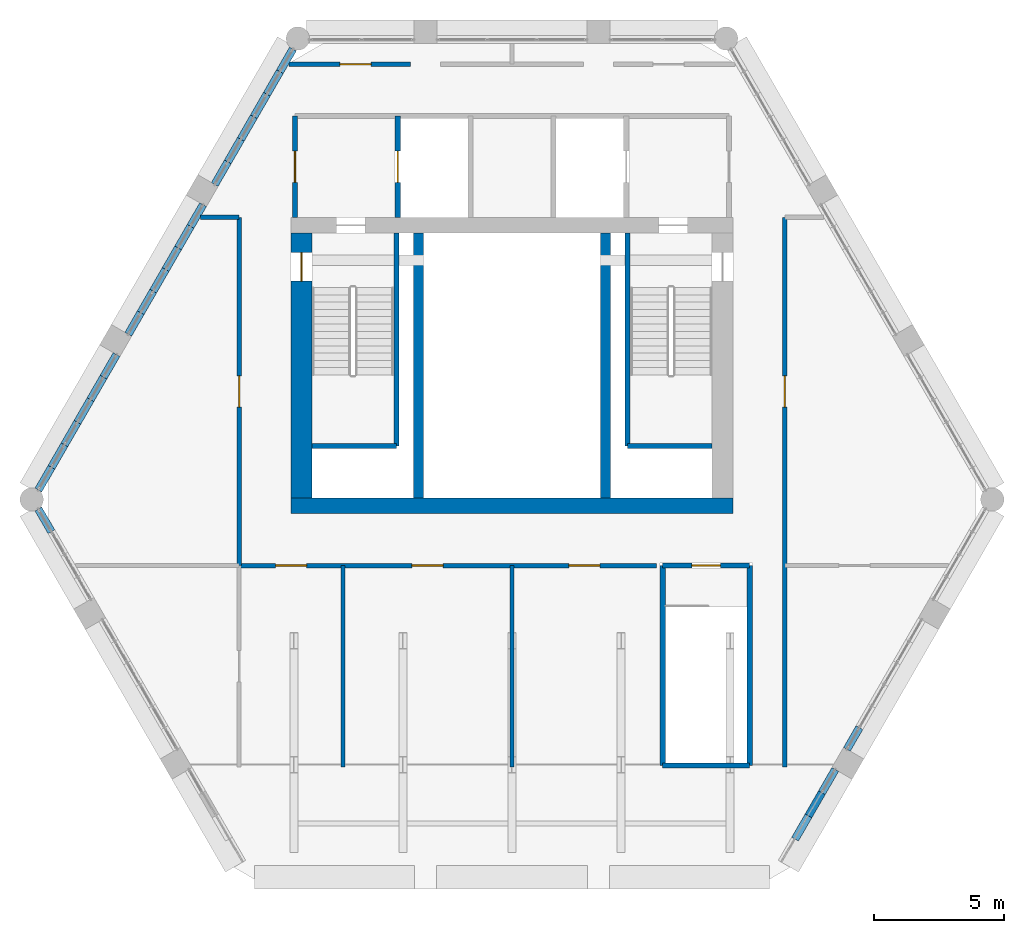
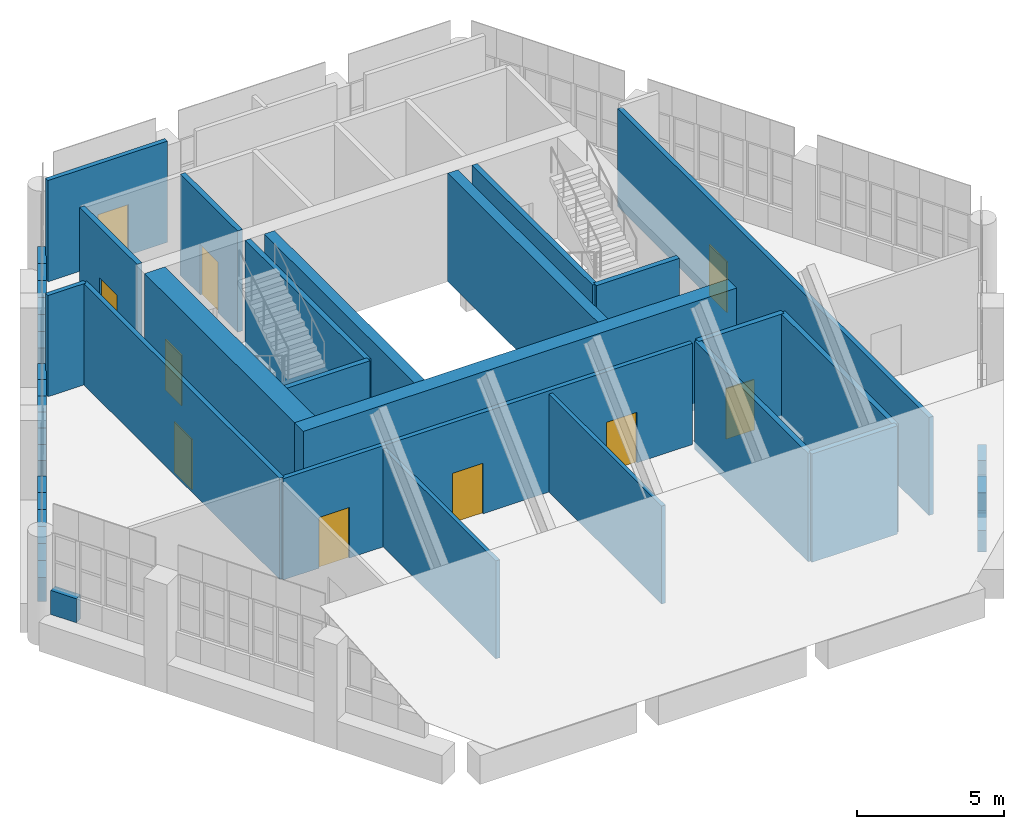
# One storey, part 20 of 25: 45 walls, 10 doors, 10 openings.
"""IFC4 building model written with IfcOpenShell, lengths in metres."""

from ifc_helpers import new_model, si_unit, direction, frame, frame_2d, origin, place, context, subcontext, project, spatial, rectangle, extrude, material, layer, layer_set, type_object, element, fill, save


model = new_model("IFC4")

# Units and contexts
model_context = context("Model", 3, precision=1e-05, world=origin(), true_north=direction((0.0, 1.0)))
body_context = subcontext(model_context, "Body", "Model", "MODEL_VIEW")
ifc_project = project(units=[si_unit("LENGTHUNIT", "METRE"), si_unit("AREAUNIT", "SQUARE_METRE"), si_unit("VOLUMEUNIT", "CUBIC_METRE"), si_unit("PLANEANGLEUNIT", "RADIAN"), si_unit("MASSUNIT", "GRAM", prefix="KILO")], contexts=[model_context])

# Site, building, storey
site_placement = place(None, origin())
site = spatial("IfcSite", under=ifc_project, at=site_placement, CompositionType="ELEMENT")
building_placement = place(site_placement, origin())
building = spatial("IfcBuilding", under=site, at=building_placement, Name="Ostrander Bayou Hotel Tower", CompositionType="ELEMENT")
storey_placement = place(building_placement, frame((0.0, 0.0, 275.0)))
storey = spatial("IfcBuildingStorey", under=building, at=storey_placement, Name="L68", CompositionType="ELEMENT", Elevation=275.0)

# Wall
ifc_material_1 = material(Name="Concrete f'c 60 MPa", Category="concrete")
ifc_layer_1 = layer(ifc_material_1, 0.60009765625)
ifc_layer_set_1 = layer_set([ifc_layer_1], Name="CW10 core wall 600 mm f'c 60 MPa")
wall_type_1 = type_object("IfcWallType", Name="CW10 core wall 600 mm f'c 60 MPa", PredefinedType="SHEAR", material=ifc_layer_set_1)
wall_1_placement = place(storey_placement, frame((-8.5, -1.39990234375, -0.300048828125), z_axis=(0.0, 0.0, 1.0), x_axis=(1.0, 0.0, 0.0)))
element("IfcWall", 1, at=wall_1_placement, inside=storey, type_object=wall_type_1, Name="CW10 L68 S", PredefinedType="SHEAR", context=body_context, shape_type="SweptSolid", body=[
    extrude(rectangle(XDim=17.0, YDim=0.60009765625, at=frame_2d((8.5, 0.0))), origin(), (0.0, 0.0, 1.0), 4.5),
])

# Wall, opening, door
ifc_material_2 = material(Name="Concrete f'c 60 MPa", Category="concrete")
ifc_layer_2 = layer(ifc_material_2, 0.800048828125)
ifc_layer_set_2 = layer_set([ifc_layer_2], Name="CW11 core spine wall 800 mm f'c 60 MPa")
wall_type_2 = type_object("IfcWallType", Name="CW11 core spine wall 800 mm f'c 60 MPa", PredefinedType="SHEAR", material=ifc_layer_set_2)
wall_2_placement = place(storey_placement, frame((-8.10009765625, -1.10009765625, -0.300048828125), z_axis=(0.0, 0.0, 1.0), x_axis=(0.0, 1.0, 0.0)))
wall_2 = element("IfcWall", 2, at=wall_2_placement, inside=storey, type_object=wall_type_2, Name="CW11 L68 W", PredefinedType="SHEAR", context=body_context, shape_type="SweptSolid", body=[
    extrude(rectangle(XDim=10.2001953125, YDim=0.800048828125, at=frame_2d((5.10009765625, 0.0))), origin(), (0.0, 0.0, 1.0), 4.5),
])
opening_1_placement = place(wall_2_placement, frame((8.35009765625, 0.0, 0.0)))
opening_1 = element("IfcOpeningElement", 3, at=opening_1_placement, cuts=wall_2, Name="Opening T68-002", PredefinedType="OPENING", context=body_context, shape_type="SweptSolid", body=[
    extrude(rectangle(XDim=1.10009765625, YDim=2.10009765625, at=frame_2d((0.550048828125, 1.050048828125))), frame((0.0, 0.39990234375, 0.0), z_axis=(0.0, -1.0, 0.0), x_axis=(1.0, 0.0, 0.0)), (0.0, 0.0, 1.0), 0.800048828125),
])
ifc_material_3 = material(Name="Timber door leaf", Category="wood")
door_type_1 = type_object("IfcDoorType", Name="D5 stair door 1100 x 2100 mm, 90 minute", OperationType="SINGLE_SWING_LEFT", PredefinedType="DOOR", material=ifc_material_3)
door_1_placement = place(opening_1_placement, origin())
door_1 = element("IfcDoor", 4, at=door_1_placement, inside=storey, type_object=door_type_1, Name="dr:L68:002", OperationType="SINGLE_SWING_RIGHT", OverallHeight=2.10009765625, OverallWidth=1.10009765625, PredefinedType="DOOR", context=body_context, shape_type="SweptSolid", body=[
    extrude(rectangle(XDim=1.10009765625, YDim=2.10009765625, at=frame_2d((0.550048828125, 1.050048828125))), frame((0.0, 0.02490234375, 0.0), z_axis=(0.0, -1.0, 0.0), x_axis=(1.0, 0.0, 0.0)), (0.0, 0.0, 1.0), 0.050048828125),
])
fill(opening_1, door_1)

# Walls
ifc_material_4 = material(Name="Concrete f'c 60 MPa", Category="concrete")
ifc_layer_3 = layer(ifc_material_4, 0.39990234375)
ifc_layer_set_3 = layer_set([ifc_layer_3], Name="CW12 core bank wall 400 mm f'c 60 MPa")
wall_type_3 = type_object("IfcWallType", Name="CW12 core bank wall 400 mm f'c 60 MPa", PredefinedType="SHEAR", material=ifc_layer_set_3)
for number, where, z_axis, x_axis, name in (
    (5, (-3.60009765625, -1.10009765625, -0.300048828125), (0.0, 0.0, 1.0), (0.0, 1.0, 0.0), "CW12 L68 CW"),
    (6, (3.60009765625, -1.10009765625, -0.300048828125), (0.0, 0.0, 1.0), (0.0, 1.0, 0.0), "CW12 L68 CE"),
):
    element("IfcWall", number, at=place(storey_placement, frame(where, z_axis=z_axis, x_axis=x_axis)), inside=storey, type_object=wall_type_3, Name=name, PredefinedType="SHEAR", context=body_context, shape_type="SweptSolid", body=[
        extrude(rectangle(XDim=10.2001953125, YDim=0.39990234375, at=frame_2d((5.10009765625, 0.0))), origin(), (0.0, 0.0, 1.0), 4.5),
    ])
ifc_material_5 = material(Name="Reconstituted stone on masonry backing", Category="masonry")
ifc_layer_4 = layer(ifc_material_5, 0.300048828125)
ifc_layer_set_4 = layer_set([ifc_layer_4], Name="NW1 north stone wall 300 mm")
wall_type_4 = type_object("IfcWallType", Name="NW1 north stone wall 300 mm", PredefinedType="SOLIDWALL", material=ifc_layer_set_4)
wall_3_placement = place(storey_placement, frame((-8.431884765625, 16.182373046875, 0.0), z_axis=(0.0, 0.0, 1.0), x_axis=(-0.500143783026, -0.865942374699, 0.0)))
element("IfcWall", 7, at=wall_3_placement, inside=storey, type_object=wall_type_4, Name="NW1 L68 NW-1-1 sill", PredefinedType="SOLIDWALL", context=body_context, shape_type="SweptSolid", body=[
    extrude(rectangle(XDim=1.003173828125, YDim=0.300048828125, at=frame_2d((0.50146484375, 0.0))), origin(), (0.0, 0.0, 1.0), 1.0),
])
wall_4_placement = place(storey_placement, frame((-8.93359375, 15.313720703125, 0.0), z_axis=(0.0, 0.0, 1.0), x_axis=(-0.500038395149, -0.8660032352, 0.0)))
element("IfcWall", 8, at=wall_4_placement, inside=storey, type_object=wall_type_4, Name="NW1 L68 NW-1-2 sill", PredefinedType="SOLIDWALL", context=body_context, shape_type="SweptSolid", body=[
    extrude(rectangle(XDim=1.00341796875, YDim=0.300048828125, at=frame_2d((0.501708984375, 0.0))), origin(), (0.0, 0.0, 1.0), 1.0),
])
wall_5_placement = place(storey_placement, frame((-9.435302734375, 14.44482421875, 0.0), z_axis=(0.0, 0.0, 1.0), x_axis=(-0.499961250474, -0.866047774678, 0.0)))
element("IfcWall", 9, at=wall_5_placement, inside=storey, type_object=wall_type_4, Name="NW1 L68 NW-1-3 sill", PredefinedType="SOLIDWALL", context=body_context, shape_type="SweptSolid", body=[
    extrude(rectangle(XDim=1.0029296875, YDim=0.300048828125, at=frame_2d((0.50146484375, 0.0))), origin(), (0.0, 0.0, 1.0), 1.0),
])
for number, where, z_axis, x_axis, name in (
    (10, (-9.936767578125, 13.576171875, 0.0), (0.0, 0.0, 1.0), (-0.499855875421, -0.866108598161, 0.0), "NW1 L68 NW-1-4 sill"),
    (11, (-10.438232421875, 12.707275390625, 0.0), (0.0, 0.0, 1.0), (-0.500143783026, -0.865942374699, 0.0), "NW1 L68 NW-1-5 sill"),
    (12, (-10.93994140625, 11.838623046875, 0.0), (0.0, 0.0, 1.0), (-0.499855875421, -0.866108598161, 0.0), "NW1 L68 NW-1-6 sill"),
):
    element("IfcWall", number, at=place(storey_placement, frame(where, z_axis=z_axis, x_axis=x_axis)), inside=storey, type_object=wall_type_4, Name=name, PredefinedType="SOLIDWALL", context=body_context, shape_type="SweptSolid", body=[
        extrude(rectangle(XDim=1.003173828125, YDim=0.300048828125, at=frame_2d((0.50146484375, 0.0))), origin(), (0.0, 0.0, 1.0), 1.0),
    ])
for number, where, z_axis, x_axis, name in (
    (13, (-11.8916015625, 10.1904296875, 0.0), (0.0, 0.0, 1.0), (-0.499832553123, -0.866122057702, 0.0), "NW1 L68 NW-2-1 sill"),
    (14, (-12.371337890625, 9.359130859375, 0.0), (0.0, 0.0, 1.0), (-0.500133489192, -0.865948320045, 0.0), "NW1 L68 NW-2-2 sill"),
):
    element("IfcWall", number, at=place(storey_placement, frame(where, z_axis=z_axis, x_axis=x_axis)), inside=storey, type_object=wall_type_4, Name=name, PredefinedType="SOLIDWALL", context=body_context, shape_type="SweptSolid", body=[
        extrude(rectangle(XDim=0.959716796875, YDim=0.300048828125, at=frame_2d((0.47998046875, 0.0))), origin(), (0.0, 0.0, 1.0), 1.0),
    ])
wall_6_placement = place(storey_placement, frame((-12.851318359375, 8.528076171875, 0.0), z_axis=(0.0, 0.0, 1.0), x_axis=(-0.500023335103, -0.866011930837, 0.0)))
element("IfcWall", 15, at=wall_6_placement, inside=storey, type_object=wall_type_4, Name="NW1 L68 NW-2-3 sill", PredefinedType="SOLIDWALL", context=body_context, shape_type="SweptSolid", body=[
    extrude(rectangle(XDim=0.9599609375, YDim=0.300048828125, at=frame_2d((0.47998046875, 0.0))), origin(), (0.0, 0.0, 1.0), 1.0),
])
wall_7_placement = place(storey_placement, frame((-13.331298828125, 7.69677734375, 0.0), z_axis=(0.0, 0.0, 1.0), x_axis=(-0.499832553123, -0.866122057702, 0.0)))
element("IfcWall", 16, at=wall_7_placement, inside=storey, type_object=wall_type_4, Name="NW1 L68 NW-2-4 sill", PredefinedType="SOLIDWALL", context=body_context, shape_type="SweptSolid", body=[
    extrude(rectangle(XDim=0.959716796875, YDim=0.300048828125, at=frame_2d((0.47998046875, 0.0))), origin(), (0.0, 0.0, 1.0), 1.0),
])
wall_8_placement = place(storey_placement, frame((-13.81103515625, 6.865478515625, 0.0), z_axis=(0.0, 0.0, 1.0), x_axis=(-0.500023335103, -0.866011930837, 0.0)))
element("IfcWall", 17, at=wall_8_placement, inside=storey, type_object=wall_type_4, Name="NW1 L68 NW-2-5 sill", PredefinedType="SOLIDWALL", context=body_context, shape_type="SweptSolid", body=[
    extrude(rectangle(XDim=0.9599609375, YDim=0.300048828125, at=frame_2d((0.47998046875, 0.0))), origin(), (0.0, 0.0, 1.0), 1.0),
])
wall_9_placement = place(storey_placement, frame((-14.291015625, 6.0341796875, 0.0), z_axis=(0.0, 0.0, 1.0), x_axis=(-0.500133489192, -0.865948320045, 0.0)))
element("IfcWall", 18, at=wall_9_placement, inside=storey, type_object=wall_type_4, Name="NW1 L68 NW-2-6 sill", PredefinedType="SOLIDWALL", context=body_context, shape_type="SweptSolid", body=[
    extrude(rectangle(XDim=0.959716796875, YDim=0.300048828125, at=frame_2d((0.47998046875, 0.0))), origin(), (0.0, 0.0, 1.0), 1.0),
])
wall_10_placement = place(storey_placement, frame((-15.220947265625, 4.423583984375, 0.0), z_axis=(0.0, 0.0, 1.0), x_axis=(-0.499961250474, -0.866047774678, 0.0)))
element("IfcWall", 19, at=wall_10_placement, inside=storey, type_object=wall_type_4, Name="NW1 L68 NW-3-1 sill", PredefinedType="SOLIDWALL", context=body_context, shape_type="SweptSolid", body=[
    extrude(rectangle(XDim=1.0029296875, YDim=0.300048828125, at=frame_2d((0.50146484375, 0.0))), origin(), (0.0, 0.0, 1.0), 1.0),
])
wall_11_placement = place(storey_placement, frame((-15.722412109375, 3.554931640625, 0.0), z_axis=(0.0, 0.0, 1.0), x_axis=(-0.500143783026, -0.865942374699, 0.0)))
element("IfcWall", 20, at=wall_11_placement, inside=storey, type_object=wall_type_4, Name="NW1 L68 NW-3-2 sill", PredefinedType="SOLIDWALL", context=body_context, shape_type="SweptSolid", body=[
    extrude(rectangle(XDim=1.003173828125, YDim=0.300048828125, at=frame_2d((0.50146484375, 0.0))), origin(), (0.0, 0.0, 1.0), 1.0),
])
for number, where, z_axis, x_axis, name in (
    (21, (-16.22412109375, 2.686279296875, 0.0), (0.0, 0.0, 1.0), (-0.499961250474, -0.866047774678, 0.0), "NW1 L68 NW-3-3 sill"),
    (22, (-16.7255859375, 1.817626953125, 0.0), (0.0, 0.0, 1.0), (-0.499961250474, -0.866047774678, 0.0), "NW1 L68 NW-3-4 sill"),
    (23, (-17.22705078125, 0.948974609375, 0.0), (0.0, 0.0, 1.0), (-0.499961250474, -0.866047774678, 0.0), "NW1 L68 NW-3-5 sill"),
    (24, (-17.728515625, 0.080322265625, 0.0), (0.0, 0.0, 1.0), (-0.499961250474, -0.866047774678, 0.0), "NW1 L68 NW-3-6 sill"),
):
    element("IfcWall", number, at=place(storey_placement, frame(where, z_axis=z_axis, x_axis=x_axis)), inside=storey, type_object=wall_type_4, Name=name, PredefinedType="SOLIDWALL", context=body_context, shape_type="SweptSolid", body=[
        extrude(rectangle(XDim=1.0029296875, YDim=0.300048828125, at=frame_2d((0.50146484375, 0.0))), origin(), (0.0, 0.0, 1.0), 1.0),
    ])
wall_12_placement = place(storey_placement, frame((-18.22998046875, -1.524658203125, 0.0), z_axis=(0.0, 0.0, 1.0), x_axis=(0.500010157896, -0.866019539041, 0.0)))
element("IfcWall", 25, at=wall_12_placement, inside=storey, type_object=wall_type_4, Name="NW1 L68 SW-1-1 sill", PredefinedType="SOLIDWALL", context=body_context, shape_type="SweptSolid", body=[
    extrude(rectangle(XDim=1.00390625, YDim=0.300048828125, at=frame_2d((0.501953125, 0.0))), origin(), (0.0, 0.0, 1.0), 1.0),
])
wall_13_placement = place(storey_placement, frame((10.8955078125, -14.228271484375, 0.0), z_axis=(0.0, 0.0, 1.0), x_axis=(0.499981900942, 0.866035853028, 0.0)))
element("IfcWall", 26, at=wall_13_placement, inside=storey, type_object=wall_type_4, Name="NW1 L68 SE-1-2 sill", PredefinedType="SOLIDWALL", context=body_context, shape_type="SweptSolid", body=[
    extrude(rectangle(XDim=1.03173828125, YDim=0.300048828125, at=frame_2d((0.515869140625, 0.0))), origin(), (0.0, 0.0, 1.0), 0.904052734375),
])
wall_14_placement = place(storey_placement, frame((11.411376953125, -13.334716796875, 0.0), z_axis=(0.0, 0.0, 1.0), x_axis=(0.500084376221, 0.86597668367, 0.0)))
element("IfcWall", 27, at=wall_14_placement, inside=storey, type_object=wall_type_4, Name="NW1 L68 SE-1-3 sill", PredefinedType="SOLIDWALL", context=body_context, shape_type="SweptSolid", body=[
    extrude(rectangle(XDim=1.031494140625, YDim=0.300048828125, at=frame_2d((0.515625, 0.0))), origin(), (0.0, 0.0, 1.0), 1.0),
])
wall_15_placement = place(storey_placement, frame((11.411376953125, -13.334716796875, 1.0), z_axis=(0.0, 0.0, 1.0), x_axis=(0.500084376221, 0.86597668367, 0.0)))
element("IfcWall", 28, at=wall_15_placement, inside=storey, type_object=wall_type_4, Name="NW1 L68 SE-1-3 infill", PredefinedType="SOLIDWALL", context=body_context, shape_type="SweptSolid", body=[
    extrude(rectangle(XDim=1.031494140625, YDim=0.300048828125, at=frame_2d((0.515625, 0.0))), origin(), (0.0, 0.0, 1.0), 0.74560546875),
])
wall_16_placement = place(storey_placement, frame((11.92724609375, -12.44140625, 0.0), z_axis=(0.0, 0.0, 1.0), x_axis=(0.500084376221, 0.86597668367, 0.0)))
element("IfcWall", 29, at=wall_16_placement, inside=storey, type_object=wall_type_4, Name="NW1 L68 SE-1-4 sill", PredefinedType="SOLIDWALL", context=body_context, shape_type="SweptSolid", body=[
    extrude(rectangle(XDim=1.031494140625, YDim=0.300048828125, at=frame_2d((0.515625, 0.0))), origin(), (0.0, 0.0, 1.0), 1.0),
])
wall_17_placement = place(storey_placement, frame((12.89306640625, -10.7685546875, 0.0), z_axis=(0.0, 0.0, 1.0), x_axis=(0.499942693199, 0.866058487353, 0.0)))
element("IfcWall", 30, at=wall_17_placement, inside=storey, type_object=wall_type_4, Name="NW1 L68 SE-2-1 sill", PredefinedType="SOLIDWALL", context=body_context, shape_type="SweptSolid", body=[
    extrude(rectangle(XDim=0.95947265625, YDim=0.300048828125, at=frame_2d((0.479736328125, 0.0))), origin(), (0.0, 0.0, 1.0), 1.0),
])

# Wall, openings, doors
ifc_material_6 = material(Name="Gypsum board partition", Category="finish")
ifc_layer_5 = layer(ifc_material_6, 0.175048828125)
ifc_layer_set_5 = layer_set([ifc_layer_5], Name="PT4 corridor wall 175 mm, 1 hour")
wall_type_5 = type_object("IfcWallType", Name="PT4 corridor wall 175 mm, 1 hour", PredefinedType="PARTITIONING", material=ifc_layer_set_5)
wall_18_placement = place(storey_placement, frame((-10.5, -3.699951171875, 0.0), z_axis=(0.0, 0.0, 1.0), x_axis=(1.0, 0.0, 0.0)))
wall_18 = element("IfcWall", 31, at=wall_18_placement, inside=storey, type_object=wall_type_5, Name="sw:L68:001", PredefinedType="PARTITIONING", context=body_context, shape_type="SweptSolid", body=[
    extrude(rectangle(XDim=16.070068359375, YDim=0.175048828125, at=frame_2d((8.03515625, 0.0))), origin(), (0.0, 0.0, 1.0), 4.199951171875),
])
opening_2_placement = place(wall_18_placement, frame((1.39990234375, 0.0, 0.0)))
opening_2 = element("IfcOpeningElement", 32, at=opening_2_placement, cuts=wall_18, Name="Opening T68-200", PredefinedType="OPENING", context=body_context, shape_type="SweptSolid", body=[
    extrude(rectangle(XDim=1.199951171875, YDim=2.10009765625, at=frame_2d((0.60009765625, 1.050048828125))), frame((0.0, 0.08740234375, 0.0), z_axis=(0.0, -1.0, 0.0), x_axis=(1.0, 0.0, 0.0)), (0.0, 0.0, 1.0), 0.175048828125),
])
opening_3_placement = place(wall_18_placement, frame((6.64990234375, 0.0, 0.0)))
opening_3 = element("IfcOpeningElement", 33, at=opening_3_placement, cuts=wall_18, Name="Opening T68-201", PredefinedType="OPENING", context=body_context, shape_type="SweptSolid", body=[
    extrude(rectangle(XDim=1.199951171875, YDim=2.10009765625, at=frame_2d((0.60009765625, 1.050048828125))), frame((0.0, 0.08740234375, 0.0), z_axis=(0.0, -1.0, 0.0), x_axis=(1.0, 0.0, 0.0)), (0.0, 0.0, 1.0), 0.175048828125),
])
opening_4_placement = place(wall_18_placement, frame((12.68505859375, 0.0, 0.0)))
opening_4 = element("IfcOpeningElement", 34, at=opening_4_placement, cuts=wall_18, Name="Opening T68-202", PredefinedType="OPENING", context=body_context, shape_type="SweptSolid", body=[
    extrude(rectangle(XDim=1.199951171875, YDim=2.10009765625, at=frame_2d((0.60009765625, 1.050048828125))), frame((0.0, 0.08740234375, 0.0), z_axis=(0.0, -1.0, 0.0), x_axis=(1.0, 0.0, 0.0)), (0.0, 0.0, 1.0), 0.175048828125),
])
ifc_material_7 = material(Name="Timber door leaf", Category="wood")
door_type_2 = type_object("IfcDoorType", Name="D10 plant room door 1200 x 2100 mm, 1 hour", OperationType="SINGLE_SWING_LEFT", PredefinedType="DOOR", material=ifc_material_7)
door_2_placement = place(opening_2_placement, origin())
door_2 = element("IfcDoor", 35, at=door_2_placement, inside=storey, type_object=door_type_2, Name="dr:L68:200", OperationType="SINGLE_SWING_RIGHT", OverallHeight=2.10009765625, OverallWidth=1.199951171875, PredefinedType="DOOR", context=body_context, shape_type="SweptSolid", body=[
    extrude(rectangle(XDim=1.199951171875, YDim=2.10009765625, at=frame_2d((0.60009765625, 1.050048828125))), frame((0.0, 0.02490234375, 0.0), z_axis=(0.0, -1.0, 0.0), x_axis=(1.0, 0.0, 0.0)), (0.0, 0.0, 1.0), 0.050048828125),
])
fill(opening_2, door_2)
door_3_placement = place(opening_3_placement, origin())
door_3 = element("IfcDoor", 36, at=door_3_placement, inside=storey, type_object=door_type_2, Name="dr:L68:201", OperationType="SINGLE_SWING_LEFT", OverallHeight=2.10009765625, OverallWidth=1.199951171875, PredefinedType="DOOR", context=body_context, shape_type="SweptSolid", body=[
    extrude(rectangle(XDim=1.199951171875, YDim=2.10009765625, at=frame_2d((0.60009765625, 1.050048828125))), frame((0.0, 0.02490234375, 0.0), z_axis=(0.0, -1.0, 0.0), x_axis=(1.0, 0.0, 0.0)), (0.0, 0.0, 1.0), 0.050048828125),
])
fill(opening_3, door_3)
door_4_placement = place(opening_4_placement, origin())
door_4 = element("IfcDoor", 37, at=door_4_placement, inside=storey, type_object=door_type_2, Name="dr:L68:202", OperationType="SINGLE_SWING_RIGHT", OverallHeight=2.10009765625, OverallWidth=1.199951171875, PredefinedType="DOOR", context=body_context, shape_type="SweptSolid", body=[
    extrude(rectangle(XDim=1.199951171875, YDim=2.10009765625, at=frame_2d((0.60009765625, 1.050048828125))), frame((0.0, 0.02490234375, 0.0), z_axis=(0.0, -1.0, 0.0), x_axis=(1.0, 0.0, 0.0)), (0.0, 0.0, 1.0), 0.050048828125),
])
fill(opening_4, door_4)

# Wall
wall_19_placement = place(storey_placement, frame((-11.996337890625, 9.699951171875, 0.0), z_axis=(0.0, 0.0, 1.0), x_axis=(1.0, 0.0, 0.0)))
element("IfcWall", 38, at=wall_19_placement, inside=storey, type_object=wall_type_5, Name="sw:L68:002", PredefinedType="PARTITIONING", context=body_context, shape_type="SweptSolid", body=[
    extrude(rectangle(XDim=1.496337890625, YDim=0.175048828125, at=frame_2d((0.748046875, 0.0))), origin(), (0.0, 0.0, 1.0), 4.199951171875),
])

# Wall, opening, door
wall_20_placement = place(storey_placement, frame((-8.590087890625, 15.60009765625, 0.0), z_axis=(0.0, 0.0, 1.0), x_axis=(1.0, 0.0, 0.0)))
wall_20 = element("IfcWall", 39, at=wall_20_placement, inside=storey, type_object=wall_type_5, Name="sw:L68:004", PredefinedType="PARTITIONING", context=body_context, shape_type="SweptSolid", body=[
    extrude(rectangle(XDim=4.68701171875, YDim=0.175048828125, at=frame_2d((2.343505859375, 0.0))), origin(), (0.0, 0.0, 1.0), 4.199951171875),
])
opening_5_placement = place(wall_20_placement, frame((1.9638671875, 0.0, 0.0)))
opening_5 = element("IfcOpeningElement", 40, at=opening_5_placement, cuts=wall_20, Name="Opening T68-207", PredefinedType="OPENING", context=body_context, shape_type="SweptSolid", body=[
    extrude(rectangle(XDim=1.199951171875, YDim=2.10009765625, at=frame_2d((0.60009765625, 1.050048828125))), frame((0.0, 0.08740234375, 0.0), z_axis=(0.0, -1.0, 0.0), x_axis=(1.0, 0.0, 0.0)), (0.0, 0.0, 1.0), 0.175048828125),
])
door_5_placement = place(opening_5_placement, origin())
door_5 = element("IfcDoor", 41, at=door_5_placement, inside=storey, type_object=door_type_2, Name="dr:L68:207", OperationType="SINGLE_SWING_LEFT", OverallHeight=2.10009765625, OverallWidth=1.199951171875, PredefinedType="DOOR", context=body_context, shape_type="SweptSolid", body=[
    extrude(rectangle(XDim=1.199951171875, YDim=2.10009765625, at=frame_2d((0.60009765625, 1.050048828125))), frame((0.0, 0.02490234375, 0.0), z_axis=(0.0, -1.0, 0.0), x_axis=(1.0, 0.0, 0.0)), (0.0, 0.0, 1.0), 0.050048828125),
])
fill(opening_5, door_5)

wall_21_placement = place(storey_placement, frame((-10.5, -3.699951171875, 0.0), z_axis=(0.0, 0.0, 1.0), x_axis=(0.0, 1.0, 0.0)))
wall_21 = element("IfcWall", 42, at=wall_21_placement, inside=storey, type_object=wall_type_5, Name="sw:L68:007", PredefinedType="PARTITIONING", context=body_context, shape_type="SweptSolid", body=[
    extrude(rectangle(XDim=13.39990234375, YDim=0.175048828125, at=frame_2d((6.699951171875, 0.0))), origin(), (0.0, 0.0, 1.0), 4.199951171875),
])
opening_6_placement = place(wall_21_placement, frame((6.10009765625, 0.0, 0.0)))
opening_6 = element("IfcOpeningElement", 43, at=opening_6_placement, cuts=wall_21, Name="Opening T68-204", PredefinedType="OPENING", context=body_context, shape_type="SweptSolid", body=[
    extrude(rectangle(XDim=1.199951171875, YDim=2.10009765625, at=frame_2d((0.60009765625, 1.050048828125))), frame((0.0, 0.08740234375, 0.0), z_axis=(0.0, -1.0, 0.0), x_axis=(1.0, 0.0, 0.0)), (0.0, 0.0, 1.0), 0.175048828125),
])
door_6_placement = place(opening_6_placement, origin())
door_6 = element("IfcDoor", 44, at=door_6_placement, inside=storey, type_object=door_type_2, Name="dr:L68:204", OperationType="SINGLE_SWING_RIGHT", OverallHeight=2.10009765625, OverallWidth=1.199951171875, PredefinedType="DOOR", context=body_context, shape_type="SweptSolid", body=[
    extrude(rectangle(XDim=1.199951171875, YDim=2.10009765625, at=frame_2d((0.60009765625, 1.050048828125))), frame((0.0, 0.02490234375, 0.0), z_axis=(0.0, -1.0, 0.0), x_axis=(1.0, 0.0, 0.0)), (0.0, 0.0, 1.0), 0.050048828125),
])
fill(opening_6, door_6)

wall_22_placement = place(storey_placement, frame((10.5, -11.454345703125, 0.0), z_axis=(0.0, 0.0, 1.0), x_axis=(0.0, 1.0, 0.0)))
wall_22 = element("IfcWall", 45, at=wall_22_placement, inside=storey, type_object=wall_type_5, Name="sw:L68:008", PredefinedType="PARTITIONING", context=body_context, shape_type="SweptSolid", body=[
    extrude(rectangle(XDim=21.154296875, YDim=0.175048828125, at=frame_2d((10.5771484375, 0.0))), origin(), (0.0, 0.0, 1.0), 4.066650390625),
])
opening_7_placement = place(wall_22_placement, frame((13.8544921875, 0.0, 0.0)))
opening_7 = element("IfcOpeningElement", 46, at=opening_7_placement, cuts=wall_22, Name="Opening T68-206", PredefinedType="OPENING", context=body_context, shape_type="SweptSolid", body=[
    extrude(rectangle(XDim=1.199951171875, YDim=2.10009765625, at=frame_2d((0.60009765625, 1.050048828125))), frame((0.0, 0.08740234375, 0.0), z_axis=(0.0, -1.0, 0.0), x_axis=(1.0, 0.0, 0.0)), (0.0, 0.0, 1.0), 0.175048828125),
])
door_7_placement = place(opening_7_placement, origin())
door_7 = element("IfcDoor", 47, at=door_7_placement, inside=storey, type_object=door_type_2, Name="dr:L68:206", OperationType="SINGLE_SWING_RIGHT", OverallHeight=2.10009765625, OverallWidth=1.199951171875, PredefinedType="DOOR", context=body_context, shape_type="SweptSolid", body=[
    extrude(rectangle(XDim=1.199951171875, YDim=2.10009765625, at=frame_2d((0.60009765625, 1.050048828125))), frame((0.0, 0.02490234375, 0.0), z_axis=(0.0, -1.0, 0.0), x_axis=(1.0, 0.0, 0.0)), (0.0, 0.0, 1.0), 0.050048828125),
])
fill(opening_7, door_7)

ifc_material_8 = material(Name="Masonry block", Category="masonry")
ifc_layer_6 = layer(ifc_material_8, 0.199951171875)
ifc_layer_set_6 = layer_set([ifc_layer_6], Name="PT5 stair enclosure wall 200 mm masonry, 2 hour")
wall_type_6 = type_object("IfcWallType", Name="PT5 stair enclosure wall 200 mm masonry, 2 hour", PredefinedType="PARTITIONING", material=ifc_layer_set_6)
wall_23_placement = place(storey_placement, frame((-8.35009765625, 9.699951171875, 0.0), z_axis=(0.0, 0.0, 1.0), x_axis=(0.0, 1.0, 0.0)))
wall_23 = element("IfcWall", 48, at=wall_23_placement, inside=storey, type_object=wall_type_6, Name="cs:L68:010", PredefinedType="PARTITIONING", context=body_context, shape_type="SweptSolid", body=[
    extrude(rectangle(XDim=3.900146484375, YDim=0.199951171875, at=frame_2d((1.9501953125, 0.0))), origin(), (0.0, 0.0, 1.0), 4.199951171875),
])
opening_8_placement = place(wall_23_placement, frame((1.35009765625, 0.0, 0.0)))
opening_8 = element("IfcOpeningElement", 49, at=opening_8_placement, cuts=wall_23, Name="Opening T68-007", PredefinedType="OPENING", context=body_context, shape_type="SweptSolid", body=[
    extrude(rectangle(XDim=1.199951171875, YDim=2.10009765625, at=frame_2d((0.60009765625, 1.050048828125))), frame((0.0, 0.10009765625, 0.0), z_axis=(0.0, -1.0, 0.0), x_axis=(1.0, 0.0, 0.0)), (0.0, 0.0, 1.0), 0.199951171875),
])
ifc_material_9 = material(Name="Timber door leaf", Category="wood")
door_type_3 = type_object("IfcDoorType", Name="D7 lobby door 1200 x 2100 mm, 1 hour", OperationType="SINGLE_SWING_LEFT", PredefinedType="DOOR", material=ifc_material_9)
door_8_placement = place(opening_8_placement, origin())
door_8 = element("IfcDoor", 50, at=door_8_placement, inside=storey, type_object=door_type_3, Name="dr:L68:007", OperationType="SINGLE_SWING_LEFT", OverallHeight=2.10009765625, OverallWidth=1.199951171875, PredefinedType="DOOR", context=body_context, shape_type="SweptSolid", body=[
    extrude(rectangle(XDim=1.199951171875, YDim=2.10009765625, at=frame_2d((0.60009765625, 1.050048828125))), frame((0.0, 0.02490234375, 0.0), z_axis=(0.0, -1.0, 0.0), x_axis=(1.0, 0.0, 0.0)), (0.0, 0.0, 1.0), 0.050048828125),
])
fill(opening_8, door_8)

wall_24_placement = place(storey_placement, frame((-4.39990234375, 9.699951171875, 0.0), z_axis=(0.0, 0.0, 1.0), x_axis=(0.0, 1.0, 0.0)))
wall_24 = element("IfcWall", 51, at=wall_24_placement, inside=storey, type_object=wall_type_6, Name="cs:L68:012", PredefinedType="PARTITIONING", context=body_context, shape_type="SweptSolid", body=[
    extrude(rectangle(XDim=3.900146484375, YDim=0.199951171875, at=frame_2d((1.9501953125, 0.0))), origin(), (0.0, 0.0, 1.0), 4.199951171875),
])
opening_9_placement = place(wall_24_placement, frame((1.35009765625, 0.0, 0.0)))
opening_9 = element("IfcOpeningElement", 52, at=opening_9_placement, cuts=wall_24, Name="Opening T68-006", PredefinedType="OPENING", context=body_context, shape_type="SweptSolid", body=[
    extrude(rectangle(XDim=1.199951171875, YDim=2.10009765625, at=frame_2d((0.60009765625, 1.050048828125))), frame((0.0, 0.10009765625, 0.0), z_axis=(0.0, -1.0, 0.0), x_axis=(1.0, 0.0, 0.0)), (0.0, 0.0, 1.0), 0.199951171875),
])
ifc_material_10 = material(Name="Stainless steel sliding door", Category="steel")
door_type_4 = type_object("IfcDoorType", Name="LD1 lift landing door 1200 x 2100 mm", OperationType="SINGLE_SWING_LEFT", PredefinedType="DOOR", material=ifc_material_10)
door_9_placement = place(opening_9_placement, origin())
door_9 = element("IfcDoor", 53, at=door_9_placement, inside=storey, type_object=door_type_4, Name="dr:L68:006", OperationType="SLIDING_TO_LEFT", OverallHeight=2.10009765625, OverallWidth=1.199951171875, PredefinedType="DOOR", context=body_context, shape_type="SweptSolid", body=[
    extrude(rectangle(XDim=1.199951171875, YDim=2.10009765625, at=frame_2d((0.60009765625, 1.050048828125))), frame((0.0, 0.02490234375, 0.0), z_axis=(0.0, -1.0, 0.0), x_axis=(1.0, 0.0, 0.0)), (0.0, 0.0, 1.0), 0.050048828125),
])
fill(opening_9, door_9)

# Walls
ifc_material_11 = material(Name="Gypsum board partition", Category="finish")
ifc_layer_7 = layer(ifc_material_11, 0.14990234375)
ifc_layer_set_7 = layer_set([ifc_layer_7], Name="PT7 riser wall 150 mm, 2 hour")
wall_type_7 = type_object("IfcWallType", Name="PT7 riser wall 150 mm, 2 hour", PredefinedType="PARTITIONING", material=ifc_layer_set_7)
for number, where, z_axis, x_axis, name in (
    (54, (-6.5, -11.454345703125, 0.0), (0.0, 0.0, 1.0), (0.0, 1.0, 0.0), "sw:L68:012"),
    (55, (0.0, -11.454345703125, 0.0), (0.0, 0.0, 1.0), (0.0, 1.0, 0.0), "sw:L68:013"),
):
    element("IfcWall", number, at=place(storey_placement, frame(where, z_axis=z_axis, x_axis=x_axis)), inside=storey, type_object=wall_type_7, Name=name, PredefinedType="PARTITIONING", context=body_context, shape_type="SweptSolid", body=[
        extrude(rectangle(XDim=7.75439453125, YDim=0.14990234375, at=frame_2d((3.877197265625, 0.0))), origin(), (0.0, 0.0, 1.0), 4.066650390625),
    ])
ifc_material_12 = material(Name="Concrete f'c 45 MPa", Category="concrete")
ifc_layer_8 = layer(ifc_material_12, 0.199951171875)
ifc_layer_set_8 = layer_set([ifc_layer_8], Name="SW5 stair enclosure wall 200 mm f'c 45 MPa")
wall_type_8 = type_object("IfcWallType", Name="SW5 stair enclosure wall 200 mm f'c 45 MPa", PredefinedType="SOLIDWALL", material=ifc_layer_set_8)
wall_25_placement = place(storey_placement, frame((-4.449951171875, 0.89990234375, -0.300048828125), z_axis=(0.0, 0.0, 1.0), x_axis=(0.0, 1.0, 0.0)))
element("IfcWall", 56, at=wall_25_placement, inside=storey, type_object=wall_type_8, Name="cs:L68:001", PredefinedType="SOLIDWALL", context=body_context, shape_type="SweptSolid", body=[
    extrude(rectangle(XDim=8.2001953125, YDim=0.199951171875, at=frame_2d((4.10009765625, 0.0))), origin(), (0.0, 0.0, 1.0), 4.5),
])
wall_26_placement = place(storey_placement, frame((-7.699951171875, 0.89990234375, -0.300048828125), z_axis=(0.0, 0.0, 1.0), x_axis=(1.0, 0.0, 0.0)))
element("IfcWall", 57, at=wall_26_placement, inside=storey, type_object=wall_type_8, Name="cs:L68:002", PredefinedType="SOLIDWALL", context=body_context, shape_type="SweptSolid", body=[
    extrude(rectangle(XDim=3.25, YDim=0.199951171875, at=frame_2d((1.625, 0.0))), origin(), (0.0, 0.0, 1.0), 4.5),
])
wall_27_placement = place(storey_placement, frame((4.449951171875, 0.89990234375, -0.300048828125), z_axis=(0.0, 0.0, 1.0), x_axis=(0.0, 1.0, 0.0)))
element("IfcWall", 58, at=wall_27_placement, inside=storey, type_object=wall_type_8, Name="cs:L68:003", PredefinedType="SOLIDWALL", context=body_context, shape_type="SweptSolid", body=[
    extrude(rectangle(XDim=8.2001953125, YDim=0.199951171875, at=frame_2d((4.10009765625, 0.0))), origin(), (0.0, 0.0, 1.0), 4.5),
])
wall_28_placement = place(storey_placement, frame((4.449951171875, 0.89990234375, -0.300048828125), z_axis=(0.0, 0.0, 1.0), x_axis=(1.0, 0.0, 0.0)))
element("IfcWall", 59, at=wall_28_placement, inside=storey, type_object=wall_type_8, Name="cs:L68:004", PredefinedType="SOLIDWALL", context=body_context, shape_type="SweptSolid", body=[
    extrude(rectangle(XDim=3.25, YDim=0.199951171875, at=frame_2d((1.625, 0.0))), origin(), (0.0, 0.0, 1.0), 4.5),
])

# Wall, opening, door
wall_29_placement = place(storey_placement, frame((5.800048828125, -3.699951171875, -0.300048828125), z_axis=(0.0, 0.0, 1.0), x_axis=(1.0, 0.0, 0.0)))
wall_29 = element("IfcWall", 60, at=wall_29_placement, inside=storey, type_object=wall_type_8, Name="cs:L68:005", PredefinedType="SOLIDWALL", context=body_context, shape_type="SweptSolid", body=[
    extrude(rectangle(XDim=3.349853515625, YDim=0.199951171875, at=frame_2d((1.6748046875, 0.0))), origin(), (0.0, 0.0, 1.0), 4.5),
])
opening_10_placement = place(wall_29_placement, frame((1.125, 0.0, 0.0)))
opening_10 = element("IfcOpeningElement", 61, at=opening_10_placement, cuts=wall_29, Name="Opening T68-005", PredefinedType="OPENING", context=body_context, shape_type="SweptSolid", body=[
    extrude(rectangle(XDim=1.10009765625, YDim=2.10009765625, at=frame_2d((0.550048828125, 1.050048828125))), frame((0.0, 0.10009765625, 0.0), z_axis=(0.0, -1.0, 0.0), x_axis=(1.0, 0.0, 0.0)), (0.0, 0.0, 1.0), 0.199951171875),
])
door_10_placement = place(opening_10_placement, origin())
door_10 = element("IfcDoor", 62, at=door_10_placement, inside=storey, type_object=door_type_1, Name="dr:L68:005", OperationType="SINGLE_SWING_LEFT", OverallHeight=2.10009765625, OverallWidth=1.10009765625, PredefinedType="DOOR", context=body_context, shape_type="SweptSolid", body=[
    extrude(rectangle(XDim=1.10009765625, YDim=2.10009765625, at=frame_2d((0.550048828125, 1.050048828125))), frame((0.0, 0.02490234375, 0.0), z_axis=(0.0, -1.0, 0.0), x_axis=(1.0, 0.0, 0.0)), (0.0, 0.0, 1.0), 0.050048828125),
])
fill(opening_10, door_10)

# Walls
for number, where, z_axis, x_axis, name in (
    (63, (5.800048828125, -3.699951171875, -0.300048828125), (0.0, 0.0, 1.0), (0.0, -1.0, 0.0), "cs:L68:006"),
    (64, (9.14990234375, -3.699951171875, -0.300048828125), (0.0, 0.0, 1.0), (0.0, -1.0, 0.0), "cs:L68:007"),
):
    element("IfcWall", number, at=place(storey_placement, frame(where, z_axis=z_axis, x_axis=x_axis)), inside=storey, type_object=wall_type_8, Name=name, PredefinedType="SOLIDWALL", context=body_context, shape_type="SweptSolid", body=[
        extrude(rectangle(XDim=7.699951171875, YDim=0.199951171875, at=frame_2d((3.85009765625, 0.0))), origin(), (0.0, 0.0, 1.0), 4.5),
    ])
wall_30_placement = place(storey_placement, frame((5.800048828125, -11.39990234375, -0.300048828125), z_axis=(0.0, 0.0, 1.0), x_axis=(1.0, 0.0, 0.0)))
element("IfcWall", 65, at=wall_30_placement, inside=storey, type_object=wall_type_8, Name="cs:L68:008", PredefinedType="SOLIDWALL", context=body_context, shape_type="SweptSolid", body=[
    extrude(rectangle(XDim=3.349853515625, YDim=0.199951171875, at=frame_2d((1.6748046875, 0.0))), origin(), (0.0, 0.0, 1.0), 4.5),
])

save(model, "model.ifc")
